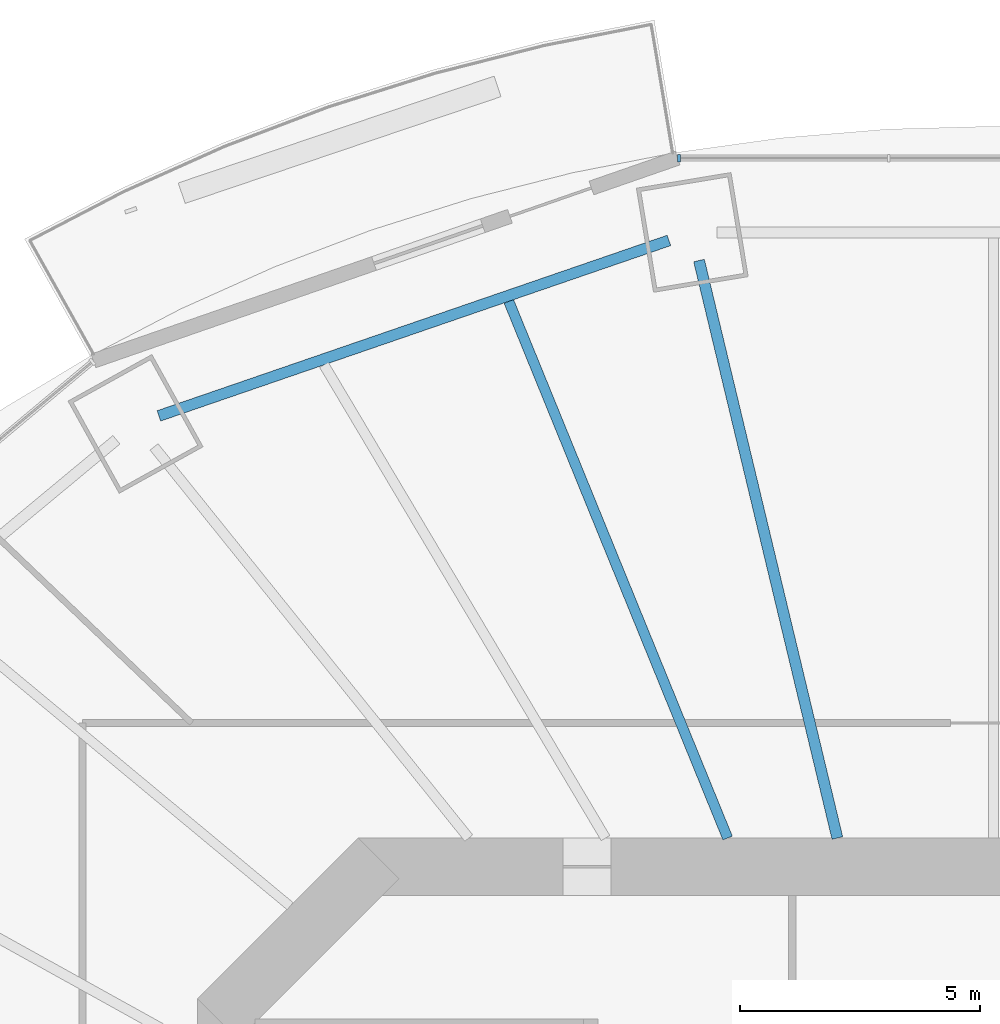
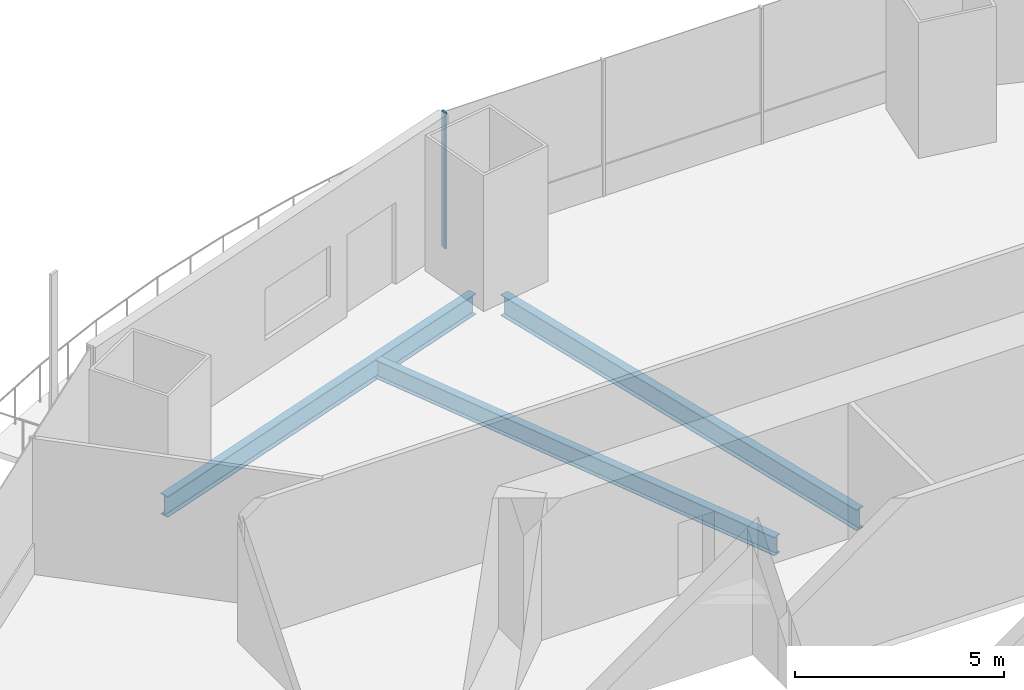
# One storey, part 7 of 21: 3 beams, 1 member, 1 element without a shape of its own.
"""IFC4 building model written with IfcOpenShell, lengths in metres."""

from ifc_helpers import new_model, si_unit, direction, frame, origin, origin_2d, place, context, subcontext, project, spatial, rectangle, i_section, extrude, material, material_profile, profile_set, type_object, element, aggregate, save


model = new_model("IFC4")

# Units and contexts
model_context = context("Model", 3, precision=1e-05, world=origin(), true_north=direction((0.0, 1.0)))
body_context = subcontext(model_context, "Body", "Model", "MODEL_VIEW")
ifc_project = project(units=[si_unit("LENGTHUNIT", "METRE"), si_unit("AREAUNIT", "SQUARE_METRE"), si_unit("VOLUMEUNIT", "CUBIC_METRE"), si_unit("PLANEANGLEUNIT", "RADIAN"), si_unit("MASSUNIT", "GRAM", prefix="KILO")], contexts=[model_context])

# Site, building, storey
site_placement = place(None, origin())
site = spatial("IfcSite", under=ifc_project, at=site_placement, CompositionType="ELEMENT")
building_placement = place(site_placement, origin())
building = spatial("IfcBuilding", under=site, at=building_placement, Name="Marenthal Gate Tower", CompositionType="ELEMENT")
storey_placement = place(building_placement, frame((0.0, 0.0, 124.300048828125)))
storey = spatial("IfcBuildingStorey", under=building, at=storey_placement, Name="L26", CompositionType="ELEMENT", Elevation=124.300048828125)

# Curtain wall, member
ifc_material_1 = material(Name="Aluminium and glass", Category="aluminium")
curtain_wall_type = type_object("IfcCurtainWallType", Name="Curtain wall typical low", PredefinedType="NOTDEFINED", material=ifc_material_1)
curtain_wall_placement = place(storey_placement, origin())
curtain_wall = element("IfcCurtainWall", 1, at=curtain_wall_placement, inside=storey, type_object=curtain_wall_type, Name="Curtain wall L26 bay 4", PredefinedType="NOTDEFINED")
ifc_material_2 = material(Name="Aluminium", Category="aluminium")
ifc_material_profile_1 = material_profile(ifc_material_2, rectangle(XDim=0.159912109375, YDim=0.06005859375, at=origin_2d()), Name="60x160 aluminium mullion")
ifc_profile_set_1 = profile_set([ifc_material_profile_1], Name="Aluminium")
member_type = type_object("IfcMemberType", Name="Mullion 60x160 typical low", PredefinedType="MULLION", material=ifc_profile_set_1)
member_placement = place(storey_placement, frame((-6.560791015625, 27.77783203125, 0.0), z_axis=(0.0, 0.0, 1.0), x_axis=(0.0, -1.0, 0.0)))
member = element("IfcMember", 2, at=member_placement, type_object=member_type, Name="Mullion L26 bay 4.4", PredefinedType="MULLION", context=body_context, shape_type="SweptSolid", body=[
    extrude(rectangle(XDim=0.159912109375, YDim=0.06005859375, at=origin_2d()), origin(), (0.0, 0.0, 1.0), 3.969970703125),
])
aggregate(curtain_wall, [member])

# Beams
ifc_material_3 = material(Name="Steel S355", Category="steel")
ifc_material_profile_2 = material_profile(ifc_material_3, i_section(OverallWidth=0.2119140625, OverallDepth=0.5439453125, WebThickness=0.01318359375, FlangeThickness=0.021240234375, FilletRadius=0.0126953125, at=origin_2d()), Name="W530X123")
ifc_profile_set_2 = profile_set([ifc_material_profile_2], Name="Steel S355")
beam_type_1 = type_object("IfcBeamType", Name="W530X123 beam", PredefinedType="BEAM", material=ifc_profile_set_2)
beam_1_placement = place(storey_placement, frame((-10.10888671875, 24.791015625, -0.4521484375), z_axis=(0.377578568114, -0.92597755097, 0.0), x_axis=(0.92597755097, 0.377578568114, 0.0)))
element("IfcBeam", 3, at=beam_1_placement, inside=storey, type_object=beam_type_1, Name="BM-L26-23", PredefinedType="BEAM", context=body_context, shape_type="SweptSolid", body=[
    extrude(i_section(OverallWidth=0.2119140625, OverallDepth=0.5439453125, WebThickness=0.01318359375, FlangeThickness=0.021240234375, FilletRadius=0.0126953125, at=origin_2d()), origin(), (0.0, 0.0, 1.0), 12.08544921875),
])
ifc_material_4 = material(Name="Steel S355", Category="steel")
ifc_material_profile_3 = material_profile(ifc_material_4, i_section(OverallWidth=0.22900390625, OverallDepth=0.612060546875, WebThickness=0.011962890625, FlangeThickness=0.01953125, FilletRadius=0.0126953125, at=origin_2d()), Name="W610X125")
ifc_profile_set_3 = profile_set([ifc_material_profile_3], Name="Steel S355")
beam_type_2 = type_object("IfcBeamType", Name="W610X125 beam", PredefinedType="BEAM", material=ifc_profile_set_3)
beam_2_placement = place(storey_placement, frame((-6.142333984375, 25.641845703125, -0.486083984375), z_axis=(0.232953092767, -0.972487972455, 0.0), x_axis=(0.972487972455, 0.232953092767, 0.0)))
element("IfcBeam", 4, at=beam_2_placement, inside=storey, type_object=beam_type_2, Name="BM-L26-05", PredefinedType="BEAM", context=body_context, shape_type="SweptSolid", body=[
    extrude(i_section(OverallWidth=0.22900390625, OverallDepth=0.612060546875, WebThickness=0.011962890625, FlangeThickness=0.01953125, FilletRadius=0.0126953125, at=origin_2d()), origin(), (0.0, 0.0, 1.0), 12.38232421875),
])
beam_3_placement = place(storey_placement, frame((-6.76904296875, 26.060791015625, -0.486083984375), z_axis=(-0.945627146872, -0.325252669626, 0.0), x_axis=(0.325252669626, -0.945627146872, 0.0)))
element("IfcBeam", 5, at=beam_3_placement, inside=storey, type_object=beam_type_2, Name="BM-L26-45", PredefinedType="BEAM", context=body_context, shape_type="SweptSolid", body=[
    extrude(i_section(OverallWidth=0.22900390625, OverallDepth=0.612060546875, WebThickness=0.011962890625, FlangeThickness=0.01953125, FilletRadius=0.0126953125, at=origin_2d()), origin(), (0.0, 0.0, 1.0), 11.24658203125),
])

save(model, "model.ifc")
